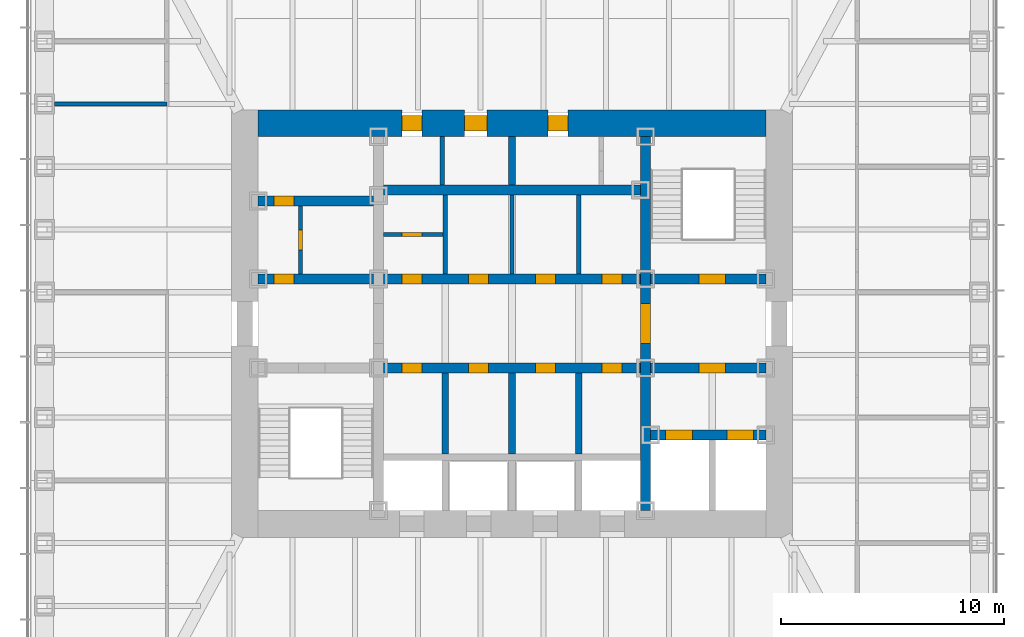
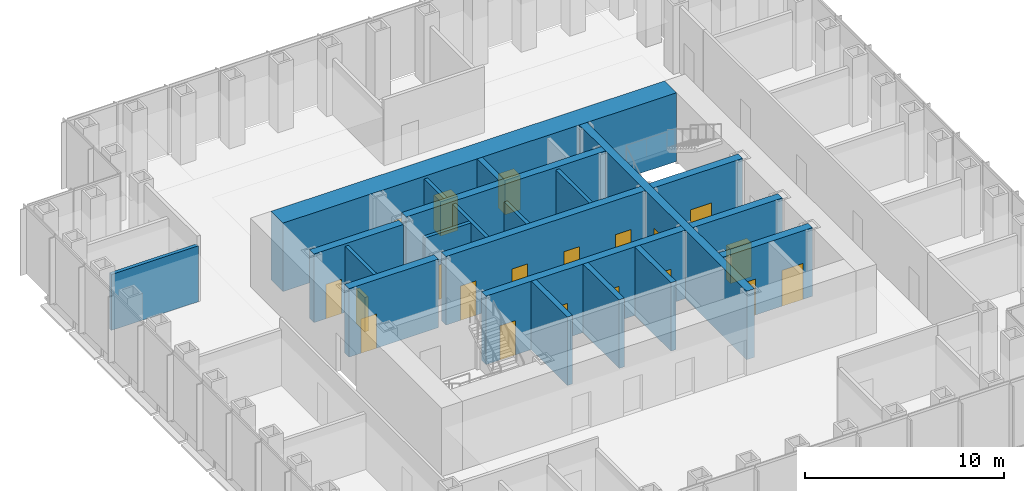
# One storey, part 9 of 16: 21 walls, 20 doors, 20 openings.
"""IFC4 building model written with IfcOpenShell, lengths in metres."""

import ifcopenshell
import ifcopenshell.guid

model = None  # the IFC model being written
_history = None  # IfcOwnerHistory: only IFC2X3 demands one
_inside = {}  # id of a spatial element -> (the spatial element, [elements in it])
_under = {}  # id of a project, library or spatial element -> (it, [spatial elements below it])
_declared = {}  # id of a project -> (the project, [libraries it declares])
_typed = {}  # id of a type object -> (the type object, [elements of that type])
_made_of = {}  # id of a material, layer set ... -> (it, [elements and type objects made of it])


def new_model(schema):
    """Start an empty IFC model of exactly this schema.

    Asked for "IFC4X3", IfcOpenShell would pick the latest addendum, in which some entities
    have other attributes; the version numbers below select the first issue.
    IFC2X3 requires an IfcOwnerHistory on every rooted entity: one is made here for all.
    """
    global model, _history
    if schema == "IFC4X3":
        model = ifcopenshell.file(schema_version=(4, 3, 0, 0))
    else:
        model = ifcopenshell.file(schema=schema)
    _inside.clear()
    _under.clear()
    _declared.clear()
    _typed.clear()
    _made_of.clear()
    _history = None
    if model.schema == "IFC2X3":
        org = make("IfcOrganization", Name="unknown")
        user = make(
            "IfcPersonAndOrganization",
            ThePerson=make("IfcPerson", FamilyName="unknown"),
            TheOrganization=org,
        )
        app = make(
            "IfcApplication",
            ApplicationDeveloper=org,
            Version="unknown",
            ApplicationFullName="unknown",
            ApplicationIdentifier="unknown",
        )
        _history = make(
            "IfcOwnerHistory",
            OwningUser=user,
            OwningApplication=app,
            ChangeAction="ADDED",
            CreationDate=0,
        )
    return model


def make(cls, **values):
    """One entity of the class cls with the attributes given. An attribute that is None is left unset."""
    return model.create_entity(
        cls, **{name: value for name, value in values.items() if value is not None}
    )


def rooted(cls, **values):
    """An entity with a GlobalId (a new one), such as an element, a storey or a relation."""
    return make(cls, GlobalId=ifcopenshell.guid.new(), OwnerHistory=_history, **values)


def si_unit(unit_type, name, prefix=None):
    """IfcSIUnit, for example si_unit("LENGTHUNIT", "METRE", prefix="MILLI")."""
    return make("IfcSIUnit", UnitType=unit_type, Prefix=prefix, Name=name)


def assignment(units):
    """IfcUnitAssignment: the units of a project."""
    return None if units is None else make("IfcUnitAssignment", Units=units)


def point(xyz):
    """IfcCartesianPoint."""
    return None if xyz is None else make("IfcCartesianPoint", Coordinates=xyz)


def direction(xyz):
    """IfcDirection."""
    return None if xyz is None else make("IfcDirection", DirectionRatios=xyz)


def frame(location, z_axis=None, x_axis=None):
    """IfcAxis2Placement3D, a coordinate frame: its origin and axes. An axis left out is left unset."""
    return make(
        "IfcAxis2Placement3D",
        Location=point(location),
        Axis=direction(z_axis),
        RefDirection=direction(x_axis),
    )


def frame_2d(location, x_axis=None):
    """IfcAxis2Placement2D, a coordinate frame in the plane: its origin and x axis."""
    return make(
        "IfcAxis2Placement2D", Location=point(location), RefDirection=direction(x_axis)
    )


def origin():
    """The frame at (0, 0, 0) with its axes left unset."""
    return frame((0.0, 0.0, 0.0))


def place(relative_to, where):
    """IfcLocalPlacement: puts the frame where relative to a parent placement (None: the world)."""
    return make(
        "IfcLocalPlacement", PlacementRelTo=relative_to, RelativePlacement=where
    )


def context(
    kind, dimensions, precision=None, world=None, true_north=None, identifier=None
):
    """IfcGeometricRepresentationContext, for example the 3D "Model" context."""
    return make(
        "IfcGeometricRepresentationContext",
        ContextIdentifier=identifier,
        ContextType=kind,
        CoordinateSpaceDimension=dimensions,
        Precision=precision,
        WorldCoordinateSystem=world,
        TrueNorth=true_north,
    )


def subcontext(parent, identifier, kind, view, scale=None):
    """IfcGeometricRepresentationSubContext, for example "Body" below "Model"."""
    return make(
        "IfcGeometricRepresentationSubContext",
        ContextIdentifier=identifier,
        ContextType=kind,
        ParentContext=parent,
        TargetScale=scale,
        TargetView=view,
    )


def project(units=None, contexts=None):
    """IfcProject with its units and contexts."""
    return rooted(
        "IfcProject",
        Name="project",
        RepresentationContexts=contexts,
        UnitsInContext=assignment(units),
    )


def spatial(cls, under=None, at=None, **own):
    """A site, building, storey or space (cls), placed at a placement, below another one or the project."""
    s = rooted(cls, ObjectPlacement=at, **own)
    if under is not None:
        _under.setdefault(under.id(), (under, []))[1].append(s)
    return s


def profile(cls, at=None, kind="AREA", **sizes):
    """A parametric profile (cls). Its sizes go by their IFC names, for example OverallWidth=200.0."""
    return make(cls, ProfileType=kind, Position=at, **sizes)


def rectangle(**sizes):
    """IfcRectangleProfileDef."""
    return profile("IfcRectangleProfileDef", **sizes)


def extrude(swept, where, along, depth):
    """IfcExtrudedAreaSolid: the profile swept, set in the frame where, extruded along a direction by depth."""
    return make(
        "IfcExtrudedAreaSolid",
        SweptArea=swept,
        Position=where,
        ExtrudedDirection=direction(along),
        Depth=depth,
    )


def shape(context_of_items, identifier, shape_type, items):
    """IfcShapeRepresentation: the items that make up one representation, for example the "Body"."""
    return make(
        "IfcShapeRepresentation",
        ContextOfItems=context_of_items,
        RepresentationIdentifier=identifier,
        RepresentationType=shape_type,
        Items=items,
    )


def material(Name=None, Category=None):
    """IfcMaterial."""
    return make("IfcMaterial", Name=Name, Category=Category)


def layer(
    of_material, thickness, ventilated=None, Name=None, Category=None, Priority=None
):
    """IfcMaterialLayer: one layer of a wall or slab, of a material (None: an air gap)."""
    return make(
        "IfcMaterialLayer",
        Material=of_material,
        LayerThickness=thickness,
        IsVentilated=ventilated,
        Name=Name,
        Category=Category,
        Priority=Priority,
    )


def layer_set(layers, Name=None):
    """IfcMaterialLayerSet."""
    return make("IfcMaterialLayerSet", MaterialLayers=layers, LayerSetName=Name)


def made_of(thing, what):
    """Note that an element or type object is made of a material, layer set ...; save() writes the relation."""
    if what is not None:
        _made_of.setdefault(what.id(), (what, []))[1].append(thing)
    return thing


def type_object(cls, material=None, **own):
    """A type object (cls), such as IfcWallType, which elements share."""
    return made_of(rooted(cls, **own), material)


def element(
    cls,
    number,
    at=None,
    inside=None,
    cuts=None,
    type_object=None,
    material=None,
    context=None,
    identifier="Body",
    shape_type=None,
    held_by="IfcProductDefinitionShape",
    body=None,
    shapes=None,
    **own,
):
    """One element of the class cls, such as IfcWall. Its Tag is "e" and its number.

    at: its placement. inside: the storey or other place that contains it. cuts: it is an
    opening in that element (IfcRelVoidsElement). A single representation is given by context,
    identifier, shape_type and body (its items); several are given by shapes. held_by: the class
    of the entity that holds the representations. save() writes the other relations.
    """
    e = rooted(cls, Tag="e%d" % number, ObjectPlacement=at, **own)
    if body is not None:
        shapes = [shape(context, identifier, shape_type, body)]
    if shapes is not None:
        e.Representation = make(held_by, Representations=shapes)
    if inside is not None:
        _inside.setdefault(inside.id(), (inside, []))[1].append(e)
    if cuts is not None:
        rooted(
            "IfcRelVoidsElement", RelatingBuildingElement=cuts, RelatedOpeningElement=e
        )
    if type_object is not None:
        _typed.setdefault(type_object.id(), (type_object, []))[1].append(e)
    return made_of(e, material)


def fill(opening, filler):
    """IfcRelFillsElement: the door or window that sits in an opening."""
    return rooted(
        "IfcRelFillsElement",
        RelatingOpeningElement=opening,
        RelatedBuildingElement=filler,
    )


def aggregate(whole, parts):
    """IfcRelAggregates: a whole, such as a stair, and the parts it consists of."""
    return rooted("IfcRelAggregates", RelatingObject=whole, RelatedObjects=parts)


def save(model, path):
    """Write the relations noted so far, then the file.

    IfcRelAggregates (storeys below a building ...), IfcRelContainedInSpatialStructure (elements
    in a storey), IfcRelDefinesByType, IfcRelAssociatesMaterial and IfcRelDeclares: one each for
    every whole, place, type object, material and project.
    """
    for whole, parts in _under.values():
        aggregate(whole, parts)
    for where, things in _inside.values():
        rooted(
            "IfcRelContainedInSpatialStructure",
            RelatedElements=things,
            RelatingStructure=where,
        )
    for kind, things in _typed.values():
        rooted("IfcRelDefinesByType", RelatedObjects=things, RelatingType=kind)
    for what, things in _made_of.values():
        rooted("IfcRelAssociatesMaterial", RelatedObjects=things, RelatingMaterial=what)
    for by, libraries in _declared.values():
        rooted("IfcRelDeclares", RelatingContext=by, RelatedDefinitions=libraries)
    model.write(path)


model = new_model("IFC4")

# Units and contexts
model_context = context("Model", 3, precision=1e-05, world=origin(), true_north=direction((0.0, 1.0)))
body_context = subcontext(model_context, "Body", "Model", "MODEL_VIEW")
ifc_project = project(units=[si_unit("LENGTHUNIT", "METRE"), si_unit("AREAUNIT", "SQUARE_METRE"), si_unit("VOLUMEUNIT", "CUBIC_METRE"), si_unit("PLANEANGLEUNIT", "RADIAN"), si_unit("MASSUNIT", "GRAM", prefix="KILO")], contexts=[model_context])

# Site, building, storey
site_placement = place(None, origin())
site = spatial("IfcSite", under=ifc_project, at=site_placement, CompositionType="ELEMENT")
building_placement = place(site_placement, origin())
building = spatial("IfcBuilding", under=site, at=building_placement, Name="Daluyong Arena Tower", CompositionType="ELEMENT")
storey_placement = place(building_placement, frame((0.0, 0.0, 198.10009765625)))
storey = spatial("IfcBuildingStorey", under=building, at=storey_placement, Name="L44", CompositionType="ELEMENT", Elevation=198.10009765625)

# Wall, opening, door
ifc_material_1 = material(Name="Concrete fc' 45 MPa", Category="concrete")
ifc_layer_1 = layer(ifc_material_1, 0.449951171875)
ifc_layer_set_1 = layer_set([ifc_layer_1], Name="Concrete fc' 45 MPa")
wall_type_1 = type_object("IfcWallType", Name="Core inner wall 450", PredefinedType="SHEAR", material=ifc_layer_set_1)
wall_1_placement = place(storey_placement, frame((62.0, 71.60009765625, 0.0), z_axis=(0.0, 0.0, 1.0), x_axis=(0.0, 1.0, 0.0)))
wall_1 = element("IfcWall", 1, at=wall_1_placement, inside=storey, type_object=wall_type_1, Name="core inner wall at L44", PredefinedType="SHEAR", context=body_context, shape_type="SweptSolid", body=[
    extrude(rectangle(XDim=16.7998046875, YDim=0.449951171875, at=frame_2d((8.39990234375, 0.0))), origin(), (0.0, 0.0, 1.0), 4.199951171875),
])
opening_1_placement = place(wall_1_placement, frame((7.5, 0.0, 0.0)))
opening_1 = element("IfcOpeningElement", 2, at=opening_1_placement, cuts=wall_1, Name="Opening 44022", PredefinedType="OPENING", context=body_context, shape_type="SweptSolid", body=[
    extrude(rectangle(XDim=1.800048828125, YDim=2.39990234375, at=frame_2d((0.89990234375, 1.199951171875))), frame((0.0, 0.23486328125, 0.0), z_axis=(0.0, -1.0, 0.0), x_axis=(1.0, 0.0, 0.0)), (0.0, 0.0, 1.0), 0.469970703125),
])
ifc_material_2 = material(Name="Steel door, fire rated", Category="steel")
door_type_1 = type_object("IfcDoorType", Name="Lift lobby opening door 1800", OperationType="DOUBLE_DOOR_SINGLE_SWING", PredefinedType="DOOR", material=ifc_material_2)
door_1_placement = place(opening_1_placement, origin())
door_1 = element("IfcDoor", 3, at=door_1_placement, inside=storey, type_object=door_type_1, Name="lift lobby door east 44022", OperationType="DOUBLE_DOOR_SINGLE_SWING", OverallHeight=2.39990234375, OverallWidth=1.800048828125, PredefinedType="DOOR", context=body_context, shape_type="SweptSolid", body=[
    extrude(rectangle(XDim=1.800048828125, YDim=2.39990234375, at=frame_2d((0.89990234375, 1.199951171875))), frame((0.0, 0.224609375, 0.0), z_axis=(0.0, -1.0, 0.0), x_axis=(1.0, 0.0, 0.0)), (0.0, 0.0, 1.0), 0.449462890625),
])
fill(opening_1, door_1)

wall_2_placement = place(storey_placement, frame((44.60009765625, 82.0, 0.0), z_axis=(0.0, 0.0, 1.0), x_axis=(1.0, 0.0, 0.0)))
wall_2 = element("IfcWall", 4, at=wall_2_placement, inside=storey, type_object=wall_type_1, Name="core inner wall at L44", PredefinedType="SHEAR", context=body_context, shape_type="SweptSolid", body=[
    extrude(rectangle(XDim=5.1748046875, YDim=0.449951171875, at=frame_2d((2.58740234375, 0.0))), origin(), (0.0, 0.0, 1.0), 4.199951171875),
])
opening_2_placement = place(wall_2_placement, frame((0.699951171875, 0.0, 0.0)))
opening_2 = element("IfcOpeningElement", 5, at=opening_2_placement, cuts=wall_2, Name="Opening 44001", PredefinedType="OPENING", context=body_context, shape_type="SweptSolid", body=[
    extrude(rectangle(XDim=0.89990234375, YDim=2.10009765625, at=frame_2d((0.449951171875, 1.050048828125))), frame((0.0, 0.23486328125, 0.0), z_axis=(0.0, -1.0, 0.0), x_axis=(1.0, 0.0, 0.0)), (0.0, 0.0, 1.0), 0.469970703125),
])
ifc_material_3 = material(Name="Steel door, fire rated", Category="steel")
door_type_2 = type_object("IfcDoorType", Name="Core room door 900", OperationType="SINGLE_SWING_LEFT", PredefinedType="DOOR", material=ifc_material_3)
door_2_placement = place(opening_2_placement, origin())
door_2 = element("IfcDoor", 6, at=door_2_placement, inside=storey, type_object=door_type_2, Name="toilet lobby door 44001", OperationType="SINGLE_SWING_LEFT", OverallHeight=2.10009765625, OverallWidth=0.89990234375, PredefinedType="DOOR", context=body_context, shape_type="SweptSolid", body=[
    extrude(rectangle(XDim=0.89990234375, YDim=2.10009765625, at=frame_2d((0.449951171875, 1.050048828125))), frame((0.0, 0.224609375, 0.0), z_axis=(0.0, -1.0, 0.0), x_axis=(1.0, 0.0, 0.0)), (0.0, 0.0, 1.0), 0.449462890625),
])
fill(opening_2, door_2)

wall_3_placement = place(storey_placement, frame((44.60009765625, 85.5, 0.0), z_axis=(0.0, 0.0, 1.0), x_axis=(1.0, 0.0, 0.0)))
wall_3 = element("IfcWall", 7, at=wall_3_placement, inside=storey, type_object=wall_type_1, Name="core inner wall at L44", PredefinedType="SHEAR", context=body_context, shape_type="SweptSolid", body=[
    extrude(rectangle(XDim=5.1748046875, YDim=0.449951171875, at=frame_2d((2.58740234375, 0.0))), origin(), (0.0, 0.0, 1.0), 4.199951171875),
])
opening_3_placement = place(wall_3_placement, frame((0.699951171875, 0.0, 0.0)))
opening_3 = element("IfcOpeningElement", 8, at=opening_3_placement, cuts=wall_3, Name="Opening 44003", PredefinedType="OPENING", context=body_context, shape_type="SweptSolid", body=[
    extrude(rectangle(XDim=0.89990234375, YDim=2.10009765625, at=frame_2d((0.449951171875, 1.050048828125))), frame((0.0, 0.23486328125, 0.0), z_axis=(0.0, -1.0, 0.0), x_axis=(1.0, 0.0, 0.0)), (0.0, 0.0, 1.0), 0.469970703125),
])
ifc_material_4 = material(Name="Timber door", Category="wood")
door_type_3 = type_object("IfcDoorType", Name="Toilet door 900", OperationType="SINGLE_SWING_RIGHT", PredefinedType="DOOR", material=ifc_material_4)
door_3_placement = place(opening_3_placement, origin())
door_3 = element("IfcDoor", 9, at=door_3_placement, inside=storey, type_object=door_type_3, Name="female toilet door 44003", OperationType="SINGLE_SWING_RIGHT", OverallHeight=2.10009765625, OverallWidth=0.89990234375, PredefinedType="DOOR", context=body_context, shape_type="SweptSolid", body=[
    extrude(rectangle(XDim=0.89990234375, YDim=2.10009765625, at=frame_2d((0.449951171875, 1.050048828125))), frame((0.0, 0.224609375, 0.0), z_axis=(0.0, -1.0, 0.0), x_axis=(1.0, 0.0, 0.0)), (0.0, 0.0, 1.0), 0.449462890625),
])
fill(opening_3, door_3)

# Wall, openings, doors
wall_4_placement = place(storey_placement, frame((62.22509765625, 75.0, 0.0), z_axis=(0.0, 0.0, 1.0), x_axis=(1.0, 0.0, 0.0)))
wall_4 = element("IfcWall", 10, at=wall_4_placement, inside=storey, type_object=wall_type_1, Name="core inner wall at L44", PredefinedType="SHEAR", context=body_context, shape_type="SweptSolid", body=[
    extrude(rectangle(XDim=5.1748046875, YDim=0.449951171875, at=frame_2d((2.58740234375, 0.0))), origin(), (0.0, 0.0, 1.0), 4.199951171875),
])
opening_4_placement = place(wall_4_placement, frame((0.675048828125, 0.0, 0.0)))
opening_4 = element("IfcOpeningElement", 11, at=opening_4_placement, cuts=wall_4, Name="Opening 44028", PredefinedType="OPENING", context=body_context, shape_type="SweptSolid", body=[
    extrude(rectangle(XDim=1.199951171875, YDim=2.199951171875, at=frame_2d((0.60009765625, 1.10009765625))), frame((0.0, 0.23486328125, 0.0), z_axis=(0.0, -1.0, 0.0), x_axis=(1.0, 0.0, 0.0)), (0.0, 0.0, 1.0), 0.469970703125),
])
opening_5_placement = place(wall_4_placement, frame((3.425048828125, 0.0, 0.0)))
opening_5 = element("IfcOpeningElement", 12, at=opening_5_placement, cuts=wall_4, Name="Opening 44029", PredefinedType="OPENING", context=body_context, shape_type="SweptSolid", body=[
    extrude(rectangle(XDim=1.199951171875, YDim=2.199951171875, at=frame_2d((0.60009765625, 1.10009765625))), frame((0.0, 0.23486328125, 0.0), z_axis=(0.0, -1.0, 0.0), x_axis=(1.0, 0.0, 0.0)), (0.0, 0.0, 1.0), 0.469970703125),
])
ifc_material_5 = material(Name="Steel door, fire rated", Category="steel")
door_type_4 = type_object("IfcDoorType", Name="Firefighting lift landing door 1200", OperationType="SLIDING_TO_LEFT", PredefinedType="DOOR", material=ifc_material_5)
door_4_placement = place(opening_4_placement, origin())
door_4 = element("IfcDoor", 13, at=door_4_placement, inside=storey, type_object=door_type_4, Name="firefighting lift landing door F1 44028", OperationType="SLIDING_TO_LEFT", OverallHeight=2.199951171875, OverallWidth=1.199951171875, PredefinedType="DOOR", context=body_context, shape_type="SweptSolid", body=[
    extrude(rectangle(XDim=1.199951171875, YDim=2.199951171875, at=frame_2d((0.60009765625, 1.10009765625))), frame((0.0, 0.224609375, 0.0), z_axis=(0.0, -1.0, 0.0), x_axis=(1.0, 0.0, 0.0)), (0.0, 0.0, 1.0), 0.449462890625),
])
fill(opening_4, door_4)
door_5_placement = place(opening_5_placement, origin())
door_5 = element("IfcDoor", 14, at=door_5_placement, inside=storey, type_object=door_type_4, Name="firefighting lift landing door F2 44029", OperationType="SLIDING_TO_LEFT", OverallHeight=2.199951171875, OverallWidth=1.199951171875, PredefinedType="DOOR", context=body_context, shape_type="SweptSolid", body=[
    extrude(rectangle(XDim=1.199951171875, YDim=2.199951171875, at=frame_2d((0.60009765625, 1.10009765625))), frame((0.0, 0.224609375, 0.0), z_axis=(0.0, -1.0, 0.0), x_axis=(1.0, 0.0, 0.0)), (0.0, 0.0, 1.0), 0.449462890625),
])
fill(opening_5, door_5)

# Wall, opening, door
wall_5_placement = place(storey_placement, frame((62.22509765625, 78.0, 0.0), z_axis=(0.0, 0.0, 1.0), x_axis=(1.0, 0.0, 0.0)))
wall_5 = element("IfcWall", 15, at=wall_5_placement, inside=storey, type_object=wall_type_1, Name="core inner wall at L44", PredefinedType="SHEAR", context=body_context, shape_type="SweptSolid", body=[
    extrude(rectangle(XDim=5.1748046875, YDim=0.449951171875, at=frame_2d((2.58740234375, 0.0))), origin(), (0.0, 0.0, 1.0), 4.199951171875),
])
opening_6_placement = place(wall_5_placement, frame((2.175048828125, 0.0, 0.0)))
opening_6 = element("IfcOpeningElement", 16, at=opening_6_placement, cuts=wall_5, Name="Opening 44023", PredefinedType="OPENING", context=body_context, shape_type="SweptSolid", body=[
    extrude(rectangle(XDim=1.199951171875, YDim=2.10009765625, at=frame_2d((0.60009765625, 1.050048828125))), frame((0.0, 0.23486328125, 0.0), z_axis=(0.0, -1.0, 0.0), x_axis=(1.0, 0.0, 0.0)), (0.0, 0.0, 1.0), 0.469970703125),
])
ifc_material_6 = material(Name="Steel door, fire rated", Category="steel")
door_type_5 = type_object("IfcDoorType", Name="Firefighting lobby door 1200", OperationType="SINGLE_SWING_RIGHT", PredefinedType="DOOR", material=ifc_material_6)
door_6_placement = place(opening_6_placement, origin())
door_6 = element("IfcDoor", 17, at=door_6_placement, inside=storey, type_object=door_type_5, Name="firefighting lobby door 44023", OperationType="SINGLE_SWING_RIGHT", OverallHeight=2.10009765625, OverallWidth=1.199951171875, PredefinedType="DOOR", context=body_context, shape_type="SweptSolid", body=[
    extrude(rectangle(XDim=1.199951171875, YDim=2.10009765625, at=frame_2d((0.60009765625, 1.050048828125))), frame((0.0, 0.224609375, 0.0), z_axis=(0.0, -1.0, 0.0), x_axis=(1.0, 0.0, 0.0)), (0.0, 0.0, 1.0), 0.449462890625),
])
fill(opening_6, door_6)

wall_6_placement = place(storey_placement, frame((62.22509765625, 82.0, 0.0), z_axis=(0.0, 0.0, 1.0), x_axis=(1.0, 0.0, 0.0)))
wall_6 = element("IfcWall", 18, at=wall_6_placement, inside=storey, type_object=wall_type_1, Name="core inner wall at L44", PredefinedType="SHEAR", context=body_context, shape_type="SweptSolid", body=[
    extrude(rectangle(XDim=5.1748046875, YDim=0.449951171875, at=frame_2d((2.58740234375, 0.0))), origin(), (0.0, 0.0, 1.0), 4.199951171875),
])
opening_7_placement = place(wall_6_placement, frame((2.175048828125, 0.0, 0.0)))
opening_7 = element("IfcOpeningElement", 19, at=opening_7_placement, cuts=wall_6, Name="Opening 44018", PredefinedType="OPENING", context=body_context, shape_type="SweptSolid", body=[
    extrude(rectangle(XDim=1.199951171875, YDim=2.10009765625, at=frame_2d((0.60009765625, 1.050048828125))), frame((0.0, 0.23486328125, 0.0), z_axis=(0.0, -1.0, 0.0), x_axis=(1.0, 0.0, 0.0)), (0.0, 0.0, 1.0), 0.469970703125),
])
ifc_material_7 = material(Name="Steel door, fire rated", Category="steel")
door_type_6 = type_object("IfcDoorType", Name="Stair door 1200", OperationType="SINGLE_SWING_LEFT", PredefinedType="DOOR", material=ifc_material_7)
door_7_placement = place(opening_7_placement, origin())
door_7 = element("IfcDoor", 20, at=door_7_placement, inside=storey, type_object=door_type_6, Name="stair B door 44018", OperationType="SINGLE_SWING_LEFT", OverallHeight=2.10009765625, OverallWidth=1.199951171875, PredefinedType="DOOR", context=body_context, shape_type="SweptSolid", body=[
    extrude(rectangle(XDim=1.199951171875, YDim=2.10009765625, at=frame_2d((0.60009765625, 1.050048828125))), frame((0.0, 0.224609375, 0.0), z_axis=(0.0, -1.0, 0.0), x_axis=(1.0, 0.0, 0.0)), (0.0, 0.0, 1.0), 0.449462890625),
])
fill(opening_7, door_7)

# Wall, openings, doors
wall_7_placement = place(storey_placement, frame((50.22509765625, 78.0, 0.0), z_axis=(0.0, 0.0, 1.0), x_axis=(1.0, 0.0, 0.0)))
wall_7 = element("IfcWall", 21, at=wall_7_placement, inside=storey, type_object=wall_type_1, Name="core inner wall at L44", PredefinedType="SHEAR", context=body_context, shape_type="SweptSolid", body=[
    extrude(rectangle(XDim=11.5498046875, YDim=0.449951171875, at=frame_2d((5.77490234375, 0.0))), origin(), (0.0, 0.0, 1.0), 4.199951171875),
])
opening_8_placement = place(wall_7_placement, frame((0.824951171875, 0.0, 0.0)))
opening_8 = element("IfcOpeningElement", 22, at=opening_8_placement, cuts=wall_7, Name="Opening 44008", PredefinedType="OPENING", context=body_context, shape_type="SweptSolid", body=[
    extrude(rectangle(XDim=0.89990234375, YDim=2.10009765625, at=frame_2d((0.449951171875, 1.050048828125))), frame((0.0, 0.23486328125, 0.0), z_axis=(0.0, -1.0, 0.0), x_axis=(1.0, 0.0, 0.0)), (0.0, 0.0, 1.0), 0.469970703125),
])
opening_9_placement = place(wall_7_placement, frame((3.824951171875, 0.0, 0.0)))
opening_9 = element("IfcOpeningElement", 23, at=opening_9_placement, cuts=wall_7, Name="Opening 44009", PredefinedType="OPENING", context=body_context, shape_type="SweptSolid", body=[
    extrude(rectangle(XDim=0.89990234375, YDim=2.10009765625, at=frame_2d((0.449951171875, 1.050048828125))), frame((0.0, 0.23486328125, 0.0), z_axis=(0.0, -1.0, 0.0), x_axis=(1.0, 0.0, 0.0)), (0.0, 0.0, 1.0), 0.469970703125),
])
opening_10_placement = place(wall_7_placement, frame((6.824951171875, 0.0, 0.0)))
opening_10 = element("IfcOpeningElement", 24, at=opening_10_placement, cuts=wall_7, Name="Opening 44010", PredefinedType="OPENING", context=body_context, shape_type="SweptSolid", body=[
    extrude(rectangle(XDim=0.89990234375, YDim=2.10009765625, at=frame_2d((0.449951171875, 1.050048828125))), frame((0.0, 0.23486328125, 0.0), z_axis=(0.0, -1.0, 0.0), x_axis=(1.0, 0.0, 0.0)), (0.0, 0.0, 1.0), 0.469970703125),
])
opening_11_placement = place(wall_7_placement, frame((9.824951171875, 0.0, 0.0)))
opening_11 = element("IfcOpeningElement", 25, at=opening_11_placement, cuts=wall_7, Name="Opening 44011", PredefinedType="OPENING", context=body_context, shape_type="SweptSolid", body=[
    extrude(rectangle(XDim=0.89990234375, YDim=2.10009765625, at=frame_2d((0.449951171875, 1.050048828125))), frame((0.0, 0.23486328125, 0.0), z_axis=(0.0, -1.0, 0.0), x_axis=(1.0, 0.0, 0.0)), (0.0, 0.0, 1.0), 0.469970703125),
])
door_8_placement = place(opening_8_placement, origin())
door_8 = element("IfcDoor", 26, at=door_8_placement, inside=storey, type_object=door_type_2, Name="vending room door 44008", OperationType="SINGLE_SWING_LEFT", OverallHeight=2.10009765625, OverallWidth=0.89990234375, PredefinedType="DOOR", context=body_context, shape_type="SweptSolid", body=[
    extrude(rectangle(XDim=0.89990234375, YDim=2.10009765625, at=frame_2d((0.449951171875, 1.050048828125))), frame((0.0, 0.224609375, 0.0), z_axis=(0.0, -1.0, 0.0), x_axis=(1.0, 0.0, 0.0)), (0.0, 0.0, 1.0), 0.449462890625),
])
fill(opening_8, door_8)
ifc_material_8 = material(Name="Steel door, fire rated", Category="steel")
door_type_7 = type_object("IfcDoorType", Name="Core store door 900", OperationType="SINGLE_SWING_LEFT", PredefinedType="DOOR", material=ifc_material_8)
door_9_placement = place(opening_9_placement, origin())
door_9 = element("IfcDoor", 27, at=door_9_placement, inside=storey, type_object=door_type_7, Name="tenant store door 44009", OperationType="SINGLE_SWING_LEFT", OverallHeight=2.10009765625, OverallWidth=0.89990234375, PredefinedType="DOOR", context=body_context, shape_type="SweptSolid", body=[
    extrude(rectangle(XDim=0.89990234375, YDim=2.10009765625, at=frame_2d((0.449951171875, 1.050048828125))), frame((0.0, 0.224609375, 0.0), z_axis=(0.0, -1.0, 0.0), x_axis=(1.0, 0.0, 0.0)), (0.0, 0.0, 1.0), 0.449462890625),
])
fill(opening_9, door_9)
door_10_placement = place(opening_10_placement, origin())
door_10 = element("IfcDoor", 28, at=door_10_placement, inside=storey, type_object=door_type_7, Name="security store door 44010", OperationType="SINGLE_SWING_LEFT", OverallHeight=2.10009765625, OverallWidth=0.89990234375, PredefinedType="DOOR", context=body_context, shape_type="SweptSolid", body=[
    extrude(rectangle(XDim=0.89990234375, YDim=2.10009765625, at=frame_2d((0.449951171875, 1.050048828125))), frame((0.0, 0.224609375, 0.0), z_axis=(0.0, -1.0, 0.0), x_axis=(1.0, 0.0, 0.0)), (0.0, 0.0, 1.0), 0.449462890625),
])
fill(opening_10, door_10)
ifc_material_9 = material(Name="Steel door, fire rated", Category="steel")
door_type_8 = type_object("IfcDoorType", Name="Plant room door 900", OperationType="SINGLE_SWING_LEFT", PredefinedType="DOOR", material=ifc_material_9)
door_11_placement = place(opening_11_placement, origin())
door_11 = element("IfcDoor", 29, at=door_11_placement, inside=storey, type_object=door_type_8, Name="comms room door 44011", OperationType="SINGLE_SWING_LEFT", OverallHeight=2.10009765625, OverallWidth=0.89990234375, PredefinedType="DOOR", context=body_context, shape_type="SweptSolid", body=[
    extrude(rectangle(XDim=0.89990234375, YDim=2.10009765625, at=frame_2d((0.449951171875, 1.050048828125))), frame((0.0, 0.224609375, 0.0), z_axis=(0.0, -1.0, 0.0), x_axis=(1.0, 0.0, 0.0)), (0.0, 0.0, 1.0), 0.449462890625),
])
fill(opening_11, door_11)

wall_8_placement = place(storey_placement, frame((50.22509765625, 82.0, 0.0), z_axis=(0.0, 0.0, 1.0), x_axis=(1.0, 0.0, 0.0)))
wall_8 = element("IfcWall", 30, at=wall_8_placement, inside=storey, type_object=wall_type_1, Name="core inner wall at L44", PredefinedType="SHEAR", context=body_context, shape_type="SweptSolid", body=[
    extrude(rectangle(XDim=11.5498046875, YDim=0.449951171875, at=frame_2d((5.77490234375, 0.0))), origin(), (0.0, 0.0, 1.0), 4.199951171875),
])
opening_12_placement = place(wall_8_placement, frame((0.824951171875, 0.0, 0.0)))
opening_12 = element("IfcOpeningElement", 31, at=opening_12_placement, cuts=wall_8, Name="Opening 44012", PredefinedType="OPENING", context=body_context, shape_type="SweptSolid", body=[
    extrude(rectangle(XDim=0.89990234375, YDim=2.10009765625, at=frame_2d((0.449951171875, 1.050048828125))), frame((0.0, 0.23486328125, 0.0), z_axis=(0.0, -1.0, 0.0), x_axis=(1.0, 0.0, 0.0)), (0.0, 0.0, 1.0), 0.469970703125),
])
opening_13_placement = place(wall_8_placement, frame((3.824951171875, 0.0, 0.0)))
opening_13 = element("IfcOpeningElement", 32, at=opening_13_placement, cuts=wall_8, Name="Opening 44014", PredefinedType="OPENING", context=body_context, shape_type="SweptSolid", body=[
    extrude(rectangle(XDim=0.89990234375, YDim=2.10009765625, at=frame_2d((0.449951171875, 1.050048828125))), frame((0.0, 0.23486328125, 0.0), z_axis=(0.0, -1.0, 0.0), x_axis=(1.0, 0.0, 0.0)), (0.0, 0.0, 1.0), 0.469970703125),
])
opening_14_placement = place(wall_8_placement, frame((6.824951171875, 0.0, 0.0)))
opening_14 = element("IfcOpeningElement", 33, at=opening_14_placement, cuts=wall_8, Name="Opening 44015", PredefinedType="OPENING", context=body_context, shape_type="SweptSolid", body=[
    extrude(rectangle(XDim=0.89990234375, YDim=2.10009765625, at=frame_2d((0.449951171875, 1.050048828125))), frame((0.0, 0.23486328125, 0.0), z_axis=(0.0, -1.0, 0.0), x_axis=(1.0, 0.0, 0.0)), (0.0, 0.0, 1.0), 0.469970703125),
])
opening_15_placement = place(wall_8_placement, frame((9.824951171875, 0.0, 0.0)))
opening_15 = element("IfcOpeningElement", 34, at=opening_15_placement, cuts=wall_8, Name="Opening 44016", PredefinedType="OPENING", context=body_context, shape_type="SweptSolid", body=[
    extrude(rectangle(XDim=0.89990234375, YDim=2.10009765625, at=frame_2d((0.449951171875, 1.050048828125))), frame((0.0, 0.23486328125, 0.0), z_axis=(0.0, -1.0, 0.0), x_axis=(1.0, 0.0, 0.0)), (0.0, 0.0, 1.0), 0.469970703125),
])
door_12_placement = place(opening_14_placement, origin())
door_12 = element("IfcDoor", 35, at=door_12_placement, inside=storey, type_object=door_type_2, Name="parcel room door 44015", OperationType="SINGLE_SWING_LEFT", OverallHeight=2.10009765625, OverallWidth=0.89990234375, PredefinedType="DOOR", context=body_context, shape_type="SweptSolid", body=[
    extrude(rectangle(XDim=0.89990234375, YDim=2.10009765625, at=frame_2d((0.449951171875, 1.050048828125))), frame((0.0, 0.224609375, 0.0), z_axis=(0.0, -1.0, 0.0), x_axis=(1.0, 0.0, 0.0)), (0.0, 0.0, 1.0), 0.449462890625),
])
fill(opening_14, door_12)
door_13_placement = place(opening_15_placement, origin())
door_13 = element("IfcDoor", 36, at=door_13_placement, inside=storey, type_object=door_type_2, Name="print room door 44016", OperationType="SINGLE_SWING_LEFT", OverallHeight=2.10009765625, OverallWidth=0.89990234375, PredefinedType="DOOR", context=body_context, shape_type="SweptSolid", body=[
    extrude(rectangle(XDim=0.89990234375, YDim=2.10009765625, at=frame_2d((0.449951171875, 1.050048828125))), frame((0.0, 0.224609375, 0.0), z_axis=(0.0, -1.0, 0.0), x_axis=(1.0, 0.0, 0.0)), (0.0, 0.0, 1.0), 0.449462890625),
])
fill(opening_15, door_13)
door_14_placement = place(opening_12_placement, origin())
door_14 = element("IfcDoor", 37, at=door_14_placement, inside=storey, type_object=door_type_7, Name="furniture store door 44012", OperationType="SINGLE_SWING_LEFT", OverallHeight=2.10009765625, OverallWidth=0.89990234375, PredefinedType="DOOR", context=body_context, shape_type="SweptSolid", body=[
    extrude(rectangle(XDim=0.89990234375, YDim=2.10009765625, at=frame_2d((0.449951171875, 1.050048828125))), frame((0.0, 0.224609375, 0.0), z_axis=(0.0, -1.0, 0.0), x_axis=(1.0, 0.0, 0.0)), (0.0, 0.0, 1.0), 0.449462890625),
])
fill(opening_12, door_14)
door_15_placement = place(opening_13_placement, origin())
door_15 = element("IfcDoor", 38, at=door_15_placement, inside=storey, type_object=door_type_7, Name="cleaner's store door 44014", OperationType="SINGLE_SWING_LEFT", OverallHeight=2.10009765625, OverallWidth=0.89990234375, PredefinedType="DOOR", context=body_context, shape_type="SweptSolid", body=[
    extrude(rectangle(XDim=0.89990234375, YDim=2.10009765625, at=frame_2d((0.449951171875, 1.050048828125))), frame((0.0, 0.224609375, 0.0), z_axis=(0.0, -1.0, 0.0), x_axis=(1.0, 0.0, 0.0)), (0.0, 0.0, 1.0), 0.449462890625),
])
fill(opening_13, door_15)

# Wall
wall_9_placement = place(storey_placement, frame((50.22509765625, 86.0, 0.0), z_axis=(0.0, 0.0, 1.0), x_axis=(1.0, 0.0, 0.0)))
element("IfcWall", 39, at=wall_9_placement, inside=storey, type_object=wall_type_1, Name="core inner wall at L44", PredefinedType="SHEAR", context=body_context, shape_type="SweptSolid", body=[
    extrude(rectangle(XDim=11.5498046875, YDim=0.449951171875, at=frame_2d((5.77490234375, 0.0))), origin(), (0.0, 0.0, 1.0), 4.199951171875),
])

# Wall, openings, doors
ifc_material_10 = material(Name="Concrete fc' 60 MPa", Category="concrete")
ifc_layer_2 = layer(ifc_material_10, 1.199951171875)
ifc_layer_set_2 = layer_set([ifc_layer_2], Name="Concrete fc' 60 MPa")
wall_type_2 = type_object("IfcWallType", Name="Core wall 1200", PredefinedType="SHEAR", material=ifc_layer_set_2)
wall_10_placement = place(storey_placement, frame((44.60009765625, 89.0, 0.0), z_axis=(0.0, 0.0, 1.0), x_axis=(1.0, 0.0, 0.0)))
wall_10 = element("IfcWall", 40, at=wall_10_placement, inside=storey, type_object=wall_type_2, Name="core wall at L44", PredefinedType="SHEAR", context=body_context, shape_type="SweptSolid", body=[
    extrude(rectangle(XDim=22.7998046875, YDim=1.199951171875, at=frame_2d((11.39990234375, 0.0))), origin(), (0.0, 0.0, 1.0), 4.199951171875),
])
opening_16_placement = place(wall_10_placement, frame((9.27490234375, 0.0, 0.0)))
opening_16 = element("IfcOpeningElement", 41, at=opening_16_placement, cuts=wall_10, Name="Opening 44004", PredefinedType="OPENING", context=body_context, shape_type="SweptSolid", body=[
    extrude(rectangle(XDim=1.0, YDim=2.10009765625, at=frame_2d((0.5, 1.050048828125))), frame((0.0, 0.60986328125, 0.0), z_axis=(0.0, -1.0, 0.0), x_axis=(1.0, 0.0, 0.0)), (0.0, 0.0, 1.0), 1.219970703125),
])
opening_17_placement = place(wall_10_placement, frame((6.449951171875, 0.0, 0.0)))
opening_17 = element("IfcOpeningElement", 42, at=opening_17_placement, cuts=wall_10, Name="Opening 44005", PredefinedType="OPENING", context=body_context, shape_type="SweptSolid", body=[
    extrude(rectangle(XDim=0.89990234375, YDim=2.10009765625, at=frame_2d((0.449951171875, 1.050048828125))), frame((0.0, 0.60986328125, 0.0), z_axis=(0.0, -1.0, 0.0), x_axis=(1.0, 0.0, 0.0)), (0.0, 0.0, 1.0), 1.219970703125),
])
opening_18_placement = place(wall_10_placement, frame((13.012451171875, 0.0, 0.0)))
opening_18 = element("IfcOpeningElement", 43, at=opening_18_placement, cuts=wall_10, Name="Opening 44006", PredefinedType="OPENING", context=body_context, shape_type="SweptSolid", body=[
    extrude(rectangle(XDim=0.89990234375, YDim=2.10009765625, at=frame_2d((0.449951171875, 1.050048828125))), frame((0.0, 0.60986328125, 0.0), z_axis=(0.0, -1.0, 0.0), x_axis=(1.0, 0.0, 0.0)), (0.0, 0.0, 1.0), 1.219970703125),
])
ifc_material_11 = material(Name="Timber door", Category="wood")
door_type_9 = type_object("IfcDoorType", Name="Accessible toilet door 1000", OperationType="SINGLE_SWING_LEFT", PredefinedType="DOOR", material=ifc_material_11)
door_16_placement = place(opening_16_placement, origin())
door_16 = element("IfcDoor", 44, at=door_16_placement, inside=storey, type_object=door_type_9, Name="accessible toilet door 44004", OperationType="SINGLE_SWING_LEFT", OverallHeight=2.10009765625, OverallWidth=1.0, PredefinedType="DOOR", context=body_context, shape_type="SweptSolid", body=[
    extrude(rectangle(XDim=1.0, YDim=2.10009765625, at=frame_2d((0.5, 1.050048828125))), frame((0.0, 0.35009765625, 0.0), z_axis=(0.0, -1.0, 0.0), x_axis=(1.0, 0.0, 0.0)), (0.0, 0.0, 1.0), 0.699951171875),
])
fill(opening_16, door_16)
door_17_placement = place(opening_17_placement, origin())
door_17 = element("IfcDoor", 45, at=door_17_placement, inside=storey, type_object=door_type_2, Name="mail room door 44005", OperationType="SINGLE_SWING_LEFT", OverallHeight=2.10009765625, OverallWidth=0.89990234375, PredefinedType="DOOR", context=body_context, shape_type="SweptSolid", body=[
    extrude(rectangle(XDim=0.89990234375, YDim=2.10009765625, at=frame_2d((0.449951171875, 1.050048828125))), frame((0.0, 0.35009765625, 0.0), z_axis=(0.0, -1.0, 0.0), x_axis=(1.0, 0.0, 0.0)), (0.0, 0.0, 1.0), 0.699951171875),
])
fill(opening_17, door_17)
door_18_placement = place(opening_18_placement, origin())
door_18 = element("IfcDoor", 46, at=door_18_placement, inside=storey, type_object=door_type_2, Name="tea point door 44006", OperationType="SINGLE_SWING_LEFT", OverallHeight=2.10009765625, OverallWidth=0.89990234375, PredefinedType="DOOR", context=body_context, shape_type="SweptSolid", body=[
    extrude(rectangle(XDim=0.89990234375, YDim=2.10009765625, at=frame_2d((0.449951171875, 1.050048828125))), frame((0.0, 0.35009765625, 0.0), z_axis=(0.0, -1.0, 0.0), x_axis=(1.0, 0.0, 0.0)), (0.0, 0.0, 1.0), 0.699951171875),
])
fill(opening_18, door_18)

# Wall, opening, door
ifc_material_12 = material(Name="Concrete block partition, fire rated", Category="concrete")
ifc_layer_3 = layer(ifc_material_12, 0.199951171875)
ifc_layer_set_3 = layer_set([ifc_layer_3], Name="Concrete block partition, fire rated")
wall_type_3 = type_object("IfcWallType", Name="Fire-rated partition 200", PredefinedType="PARTITIONING", material=ifc_layer_set_3)
wall_11_placement = place(storey_placement, frame((46.5, 82.22509765625, 0.0), z_axis=(0.0, 0.0, 1.0), x_axis=(0.0, 1.0, 0.0)))
wall_11 = element("IfcWall", 47, at=wall_11_placement, inside=storey, type_object=wall_type_3, Name="toilet lobby partition at L44", PredefinedType="PARTITIONING", context=body_context, shape_type="SweptSolid", body=[
    extrude(rectangle(XDim=3.0498046875, YDim=0.199951171875, at=frame_2d((1.52490234375, 0.0))), origin(), (0.0, 0.0, 1.0), 4.039794921875),
])
opening_19_placement = place(wall_11_placement, frame((1.074951171875, 0.0, 0.0)))
opening_19 = element("IfcOpeningElement", 48, at=opening_19_placement, cuts=wall_11, Name="Opening 44002", PredefinedType="OPENING", context=body_context, shape_type="SweptSolid", body=[
    extrude(rectangle(XDim=0.89990234375, YDim=2.10009765625, at=frame_2d((0.449951171875, 1.050048828125))), frame((0.0, 0.10986328125, 0.0), z_axis=(0.0, -1.0, 0.0), x_axis=(1.0, 0.0, 0.0)), (0.0, 0.0, 1.0), 0.219970703125),
])
door_19_placement = place(opening_19_placement, origin())
door_19 = element("IfcDoor", 49, at=door_19_placement, inside=storey, type_object=door_type_3, Name="male toilet door 44002", OperationType="SINGLE_SWING_RIGHT", OverallHeight=2.10009765625, OverallWidth=0.89990234375, PredefinedType="DOOR", context=body_context, shape_type="SweptSolid", body=[
    extrude(rectangle(XDim=0.89990234375, YDim=2.10009765625, at=frame_2d((0.449951171875, 1.050048828125))), frame((0.0, 0.099609375, 0.0), z_axis=(0.0, -1.0, 0.0), x_axis=(1.0, 0.0, 0.0)), (0.0, 0.0, 1.0), 0.199462890625),
])
fill(opening_19, door_19)

# Walls
wall_12_placement = place(storey_placement, frame((52.875, 86.22509765625, 0.0), z_axis=(0.0, 0.0, 1.0), x_axis=(0.0, 1.0, 0.0)))
element("IfcWall", 50, at=wall_12_placement, inside=storey, type_object=wall_type_3, Name="core room partition at L44", PredefinedType="PARTITIONING", context=body_context, shape_type="SweptSolid", body=[
    extrude(rectangle(XDim=2.1748046875, YDim=0.199951171875, at=frame_2d((1.08740234375, 0.0))), origin(), (0.0, 0.0, 1.0), 4.039794921875),
])
wall_13_placement = place(storey_placement, frame((53.0, 82.22509765625, 0.0), z_axis=(0.0, 0.0, 1.0), x_axis=(0.0, 1.0, 0.0)))
element("IfcWall", 51, at=wall_13_placement, inside=storey, type_object=wall_type_3, Name="core room partition at L44", PredefinedType="PARTITIONING", context=body_context, shape_type="SweptSolid", body=[
    extrude(rectangle(XDim=3.5498046875, YDim=0.199951171875, at=frame_2d((1.77490234375, 0.0))), origin(), (0.0, 0.0, 1.0), 4.039794921875),
])

# Wall, opening, door
wall_14_placement = place(storey_placement, frame((50.22509765625, 84.0, 0.0), z_axis=(0.0, 0.0, 1.0), x_axis=(1.0, 0.0, 0.0)))
wall_14 = element("IfcWall", 52, at=wall_14_placement, inside=storey, type_object=wall_type_3, Name="back store partition at L44", PredefinedType="PARTITIONING", context=body_context, shape_type="SweptSolid", body=[
    extrude(rectangle(XDim=2.6748046875, YDim=0.199951171875, at=frame_2d((1.33740234375, 0.0))), origin(), (0.0, 0.0, 1.0), 4.039794921875),
])
opening_20_placement = place(wall_14_placement, frame((0.824951171875, 0.0, 0.0)))
opening_20 = element("IfcOpeningElement", 53, at=opening_20_placement, cuts=wall_14, Name="Opening 44013", PredefinedType="OPENING", context=body_context, shape_type="SweptSolid", body=[
    extrude(rectangle(XDim=0.89990234375, YDim=2.10009765625, at=frame_2d((0.449951171875, 1.050048828125))), frame((0.0, 0.10986328125, 0.0), z_axis=(0.0, -1.0, 0.0), x_axis=(1.0, 0.0, 0.0)), (0.0, 0.0, 1.0), 0.219970703125),
])
door_20_placement = place(opening_20_placement, origin())
door_20 = element("IfcDoor", 54, at=door_20_placement, inside=storey, type_object=door_type_7, Name="facilities store door 44013", OperationType="SINGLE_SWING_LEFT", OverallHeight=2.10009765625, OverallWidth=0.89990234375, PredefinedType="DOOR", context=body_context, shape_type="SweptSolid", body=[
    extrude(rectangle(XDim=0.89990234375, YDim=2.10009765625, at=frame_2d((0.449951171875, 1.050048828125))), frame((0.0, 0.099609375, 0.0), z_axis=(0.0, -1.0, 0.0), x_axis=(1.0, 0.0, 0.0)), (0.0, 0.0, 1.0), 0.199462890625),
])
fill(opening_20, door_20)

# Walls
wall_15_placement = place(storey_placement, frame((56.0, 82.22509765625, 0.0), z_axis=(0.0, 0.0, 1.0), x_axis=(0.0, 1.0, 0.0)))
element("IfcWall", 55, at=wall_15_placement, inside=storey, type_object=wall_type_3, Name="core room partition at L44", PredefinedType="PARTITIONING", context=body_context, shape_type="SweptSolid", body=[
    extrude(rectangle(XDim=3.5498046875, YDim=0.199951171875, at=frame_2d((1.77490234375, 0.0))), origin(), (0.0, 0.0, 1.0), 3.139892578125),
])
wall_16_placement = place(storey_placement, frame((59.0, 82.22509765625, 0.0), z_axis=(0.0, 0.0, 1.0), x_axis=(0.0, 1.0, 0.0)))
element("IfcWall", 56, at=wall_16_placement, inside=storey, type_object=wall_type_3, Name="core room partition at L44", PredefinedType="PARTITIONING", context=body_context, shape_type="SweptSolid", body=[
    extrude(rectangle(XDim=3.5498046875, YDim=0.199951171875, at=frame_2d((1.77490234375, 0.0))), origin(), (0.0, 0.0, 1.0), 4.039794921875),
])
ifc_material_13 = material(Name="Concrete fc' 45 MPa", Category="concrete")
ifc_layer_4 = layer(ifc_material_13, 0.300048828125)
ifc_layer_set_4 = layer_set([ifc_layer_4], Name="Concrete fc' 45 MPa")
wall_type_4 = type_object("IfcWallType", Name="Lift shaft wall 300", PredefinedType="SHEAR", material=ifc_layer_set_4)
for number, where, z_axis, x_axis, name in (
    (57, (53.0, 74.14990234375, 0.0), (0.0, 0.0, 1.0), (0.0, 1.0, 0.0), "lift shaft wall at L44"),
    (58, (56.0, 74.14990234375, 0.0), (0.0, 0.0, 1.0), (0.0, 1.0, 0.0), "lift shaft wall at L44"),
    (59, (59.0, 74.14990234375, 0.0), (0.0, 0.0, 1.0), (0.0, 1.0, 0.0), "lift shaft wall at L44"),
):
    element("IfcWall", number, at=place(storey_placement, frame(where, z_axis=z_axis, x_axis=x_axis)), inside=storey, type_object=wall_type_4, Name=name, PredefinedType="SHEAR", context=body_context, shape_type="SweptSolid", body=[
        extrude(rectangle(XDim=3.625, YDim=0.300048828125, at=frame_2d((1.8125, 0.0))), origin(), (0.0, 0.0, 1.0), 4.199951171875),
    ])
wall_17_placement = place(storey_placement, frame((56.0, 86.22509765625, 0.0), z_axis=(0.0, 0.0, 1.0), x_axis=(0.0, 1.0, 0.0)))
element("IfcWall", 60, at=wall_17_placement, inside=storey, type_object=wall_type_4, Name="lift shaft wall at L44", PredefinedType="SHEAR", context=body_context, shape_type="SweptSolid", body=[
    extrude(rectangle(XDim=2.1748046875, YDim=0.300048828125, at=frame_2d((1.08740234375, 0.0))), origin(), (0.0, 0.0, 1.0), 4.199951171875),
])
ifc_material_14 = material(Name="Concrete block partition", Category="concrete")
ifc_layer_5 = layer(ifc_material_14, 0.199951171875)
ifc_layer_set_5 = layer_set([ifc_layer_5], Name="Concrete block partition")
wall_type_5 = type_object("IfcWallType", Name="Partition 200", PredefinedType="PARTITIONING", material=ifc_layer_set_5)
wall_18_placement = place(storey_placement, frame((35.449951171875, 89.863525390625, 0.0), z_axis=(0.0, 0.0, 1.0), x_axis=(1.0, 0.0, 0.0)))
element("IfcWall", 61, at=wall_18_placement, inside=storey, type_object=wall_type_5, Name="partition at L44", PredefinedType="PARTITIONING", context=body_context, shape_type="SweptSolid", body=[
    extrude(rectangle(XDim=5.050048828125, YDim=0.199951171875, at=frame_2d((2.52490234375, 0.0))), origin(), (0.0, 0.0, 1.0), 3.427734375),
])

save(model, "model.ifc")
